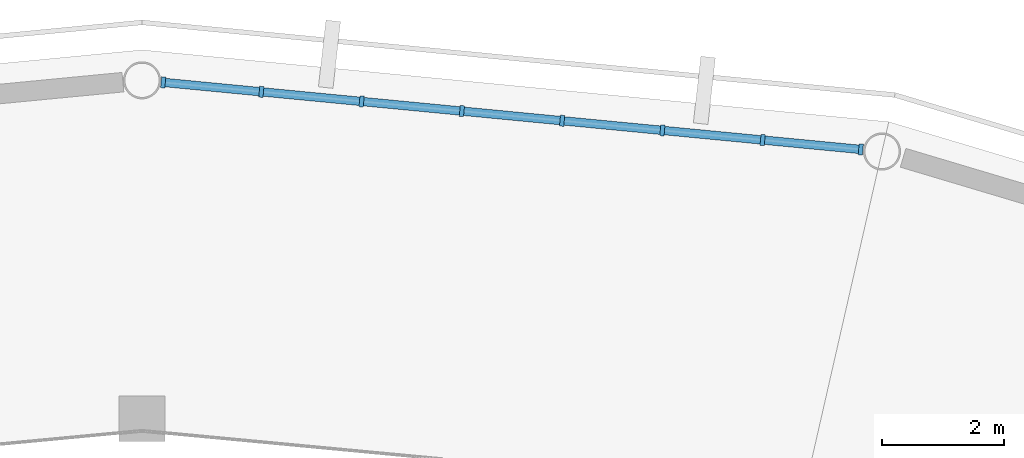
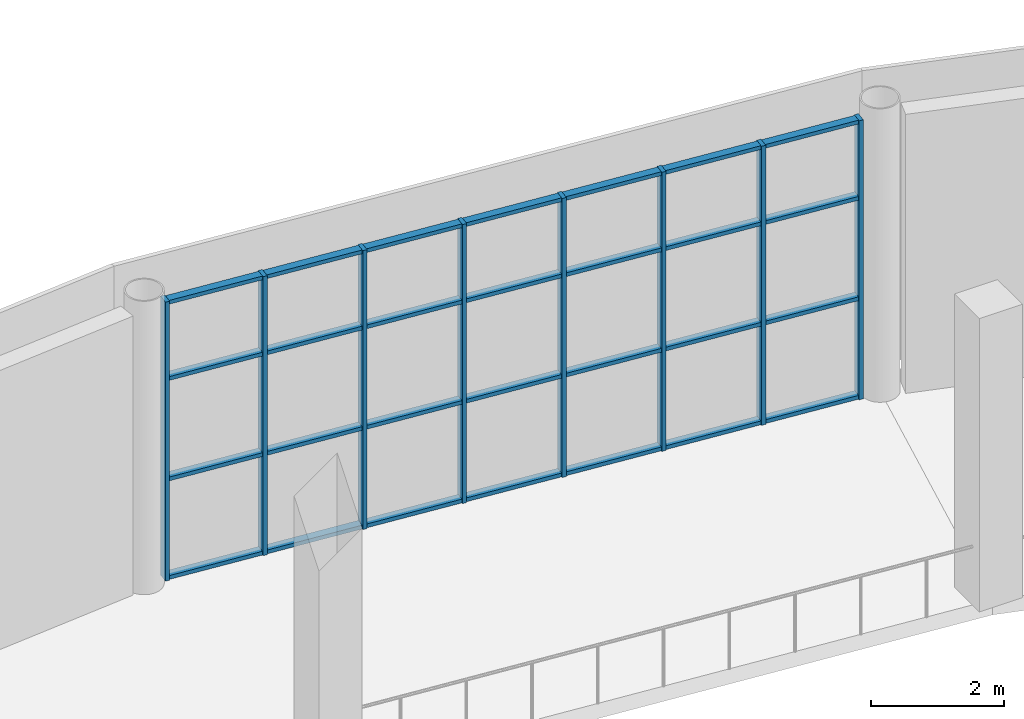
# One storey, part 18 of 40: 36 members, 1 element without a shape of its own.
"""IFC4 building model written with IfcOpenShell, lengths in metres."""

from ifc_helpers import new_model, si_unit, direction, frame, origin, origin_2d, place, context, subcontext, project, spatial, rectangle, extrude, material, material_profile, profile_set, type_object, element, aggregate, save


model = new_model("IFC4")

# Units and contexts
model_context = context("Model", 3, precision=1e-05, world=origin(), true_north=direction((0.0, 1.0)))
body_context = subcontext(model_context, "Body", "Model", "MODEL_VIEW")
ifc_project = project(units=[si_unit("LENGTHUNIT", "METRE"), si_unit("AREAUNIT", "SQUARE_METRE"), si_unit("VOLUMEUNIT", "CUBIC_METRE"), si_unit("PLANEANGLEUNIT", "RADIAN"), si_unit("MASSUNIT", "GRAM", prefix="KILO")], contexts=[model_context])

# Site, building, storey
site_placement = place(None, origin())
site = spatial("IfcSite", under=ifc_project, at=site_placement, CompositionType="ELEMENT")
building_placement = place(site_placement, origin())
building = spatial("IfcBuilding", under=site, at=building_placement, Name="Cuetzalor Civic Arena", CompositionType="ELEMENT")
storey_placement = place(building_placement, frame((0.0, 0.0, 26.39990234375)))
storey = spatial("IfcBuildingStorey", under=building, at=storey_placement, Name="L05", CompositionType="ELEMENT", Elevation=26.39990234375)

# Curtain wall, members
ifc_material_1 = material(Name="Anodised dark bronze aluminium and low-E solar glass", Category="aluminium")
curtain_wall_type = type_object("IfcCurtainWallType", Name="UnitisedCW_11550x5150", PredefinedType="USERDEFINED", material=ifc_material_1)
curtain_wall_placement = place(storey_placement, origin())
curtain_wall = element("IfcCurtainWall", 1, at=curtain_wall_placement, inside=storey, type_object=curtain_wall_type, Name="Drum Triangle Foyer Curtain Wall L05-071", ObjectType="UNITISED CURTAIN WALL", PredefinedType="USERDEFINED")
ifc_material_2 = material(Name="Anodised dark bronze aluminium", Category="aluminium")
ifc_material_profile_1 = material_profile(ifc_material_2, rectangle(XDim=0.070068359375, YDim=0.179931640625, at=origin_2d()), Name="ALU MULLION 70x180")
ifc_profile_set_1 = profile_set([ifc_material_profile_1], Name="Anodised dark bronze aluminium")
member_type_1 = type_object("IfcMemberType", Name="CurtainWallMullion_65x180", PredefinedType="MULLION", material=ifc_profile_set_1)
member_1_placement = place(storey_placement, frame((0.34814453125, 46.5166015625, 0.0), z_axis=(0.0, 0.0, 1.0), x_axis=(0.995409139996, -0.095711253324, 0.0)))
member_1 = element("IfcMember", 2, at=member_1_placement, type_object=member_type_1, Name="CW-20 mullion 1", PredefinedType="MULLION", context=body_context, shape_type="SweptSolid", body=[
    extrude(rectangle(XDim=0.070068359375, YDim=0.179931640625, at=origin_2d()), origin(), (0.0, 0.0, 1.0), 5.135986328125),
])
member_2_placement = place(storey_placement, frame((1.957763671875, 46.36181640625, 0.0), z_axis=(0.0, 0.0, 1.0), x_axis=(0.995409139996, -0.095711253324, 0.0)))
member_2 = element("IfcMember", 3, at=member_2_placement, type_object=member_type_1, Name="CW-20 mullion 2", PredefinedType="MULLION", context=body_context, shape_type="SweptSolid", body=[
    extrude(rectangle(XDim=0.070068359375, YDim=0.179931640625, at=origin_2d()), origin(), (0.0, 0.0, 1.0), 5.135986328125),
])
member_3_placement = place(storey_placement, frame((3.602294921875, 46.20361328125, 0.0), z_axis=(0.0, 0.0, 1.0), x_axis=(0.995409139996, -0.095711253324, 0.0)))
member_3 = element("IfcMember", 4, at=member_3_placement, type_object=member_type_1, Name="CW-20 mullion 3", PredefinedType="MULLION", context=body_context, shape_type="SweptSolid", body=[
    extrude(rectangle(XDim=0.070068359375, YDim=0.179931640625, at=origin_2d()), origin(), (0.0, 0.0, 1.0), 5.135986328125),
])
member_4_placement = place(storey_placement, frame((5.2470703125, 46.04541015625, 0.0), z_axis=(0.0, 0.0, 1.0), x_axis=(0.995409139996, -0.095711253324, 0.0)))
member_4 = element("IfcMember", 5, at=member_4_placement, type_object=member_type_1, Name="CW-20 mullion 4", PredefinedType="MULLION", context=body_context, shape_type="SweptSolid", body=[
    extrude(rectangle(XDim=0.070068359375, YDim=0.179931640625, at=origin_2d()), origin(), (0.0, 0.0, 1.0), 5.135986328125),
])
member_5_placement = place(storey_placement, frame((6.8916015625, 45.887451171875, 0.0), z_axis=(0.0, 0.0, 1.0), x_axis=(0.995409139996, -0.095711253324, 0.0)))
member_5 = element("IfcMember", 6, at=member_5_placement, type_object=member_type_1, Name="CW-20 mullion 5", PredefinedType="MULLION", context=body_context, shape_type="SweptSolid", body=[
    extrude(rectangle(XDim=0.070068359375, YDim=0.179931640625, at=origin_2d()), origin(), (0.0, 0.0, 1.0), 5.135986328125),
])
member_6_placement = place(storey_placement, frame((8.5361328125, 45.729248046875, 0.0), z_axis=(0.0, 0.0, 1.0), x_axis=(0.995409139996, -0.095711253324, 0.0)))
member_6 = element("IfcMember", 7, at=member_6_placement, type_object=member_type_1, Name="CW-20 mullion 6", PredefinedType="MULLION", context=body_context, shape_type="SweptSolid", body=[
    extrude(rectangle(XDim=0.070068359375, YDim=0.179931640625, at=origin_2d()), origin(), (0.0, 0.0, 1.0), 5.135986328125),
])
member_7_placement = place(storey_placement, frame((10.1806640625, 45.571044921875, 0.0), z_axis=(0.0, 0.0, 1.0), x_axis=(0.995409139996, -0.095711253324, 0.0)))
member_7 = element("IfcMember", 8, at=member_7_placement, type_object=member_type_1, Name="CW-20 mullion 7", PredefinedType="MULLION", context=body_context, shape_type="SweptSolid", body=[
    extrude(rectangle(XDim=0.070068359375, YDim=0.179931640625, at=origin_2d()), origin(), (0.0, 0.0, 1.0), 5.135986328125),
])
member_8_placement = place(storey_placement, frame((11.790283203125, 45.416259765625, 0.0), z_axis=(0.0, 0.0, 1.0), x_axis=(0.995409139996, -0.095711253324, 0.0)))
member_8 = element("IfcMember", 9, at=member_8_placement, type_object=member_type_1, Name="CW-20 mullion 8", PredefinedType="MULLION", context=body_context, shape_type="SweptSolid", body=[
    extrude(rectangle(XDim=0.070068359375, YDim=0.179931640625, at=origin_2d()), origin(), (0.0, 0.0, 1.0), 5.135986328125),
])
ifc_material_3 = material(Name="Anodised dark bronze aluminium", Category="aluminium")
ifc_material_profile_2 = material_profile(ifc_material_3, rectangle(XDim=0.139892578125, YDim=0.070068359375, at=origin_2d()), Name="ALU TRANSOM 70x140")
ifc_profile_set_2 = profile_set([ifc_material_profile_2], Name="Anodised dark bronze aluminium")
member_type_2 = type_object("IfcMemberType", Name="CurtainWallTransom_65x140", PredefinedType="USERDEFINED", material=ifc_profile_set_2)
member_9_placement = place(storey_placement, frame((0.383056640625, 46.51318359375, 0.03515625), z_axis=(0.995417120932, -0.095628214218, 0.0), x_axis=(0.095628214218, 0.995417120932, 0.0)))
member_9 = element("IfcMember", 10, at=member_9_placement, type_object=member_type_2, Name="CW-20 transom 1.1", ObjectType="TRANSOM", PredefinedType="USERDEFINED", context=body_context, shape_type="SweptSolid", body=[
    extrude(rectangle(XDim=0.139892578125, YDim=0.070068359375, at=origin_2d()), origin(), (0.0, 0.0, 1.0), 1.547119140625),
])
member_10_placement = place(storey_placement, frame((0.383056640625, 46.51318359375, 1.84912109375), z_axis=(0.995417120932, -0.095628214218, 0.0), x_axis=(0.095628214218, 0.995417120932, 0.0)))
member_10 = element("IfcMember", 11, at=member_10_placement, type_object=member_type_2, Name="CW-20 transom 1.2", ObjectType="TRANSOM", PredefinedType="USERDEFINED", context=body_context, shape_type="SweptSolid", body=[
    extrude(rectangle(XDim=0.139892578125, YDim=0.070068359375, at=origin_2d()), origin(), (0.0, 0.0, 1.0), 1.547119140625),
])
member_11_placement = place(storey_placement, frame((0.383056640625, 46.51318359375, 3.697998046875), z_axis=(0.995417120932, -0.095628214218, 0.0), x_axis=(0.095628214218, 0.995417120932, 0.0)))
member_11 = element("IfcMember", 12, at=member_11_placement, type_object=member_type_2, Name="CW-20 transom 1.3", ObjectType="TRANSOM", PredefinedType="USERDEFINED", context=body_context, shape_type="SweptSolid", body=[
    extrude(rectangle(XDim=0.139892578125, YDim=0.070068359375, at=origin_2d()), origin(), (0.0, 0.0, 1.0), 1.547119140625),
])
member_12_placement = place(storey_placement, frame((0.383056640625, 46.51318359375, 5.10107421875), z_axis=(0.995417120932, -0.095628214218, 0.0), x_axis=(0.095628214218, 0.995417120932, 0.0)))
member_12 = element("IfcMember", 13, at=member_12_placement, type_object=member_type_2, Name="CW-20 transom 1.4", ObjectType="TRANSOM", PredefinedType="USERDEFINED", context=body_context, shape_type="SweptSolid", body=[
    extrude(rectangle(XDim=0.139892578125, YDim=0.070068359375, at=origin_2d()), origin(), (0.0, 0.0, 1.0), 1.547119140625),
])
member_13_placement = place(storey_placement, frame((1.99267578125, 46.3583984375, 0.03515625), z_axis=(0.99541326879, -0.09566830362, 0.0), x_axis=(0.09566830362, 0.99541326879, 0.0)))
member_13 = element("IfcMember", 14, at=member_13_placement, type_object=member_type_2, Name="CW-20 transom 2.1", ObjectType="TRANSOM", PredefinedType="USERDEFINED", context=body_context, shape_type="SweptSolid", body=[
    extrude(rectangle(XDim=0.139892578125, YDim=0.070068359375, at=origin_2d()), origin(), (0.0, 0.0, 1.0), 1.582275390625),
])
member_14_placement = place(storey_placement, frame((1.99267578125, 46.3583984375, 1.84912109375), z_axis=(0.99541326879, -0.09566830362, 0.0), x_axis=(0.09566830362, 0.99541326879, 0.0)))
member_14 = element("IfcMember", 15, at=member_14_placement, type_object=member_type_2, Name="CW-20 transom 2.2", ObjectType="TRANSOM", PredefinedType="USERDEFINED", context=body_context, shape_type="SweptSolid", body=[
    extrude(rectangle(XDim=0.139892578125, YDim=0.070068359375, at=origin_2d()), origin(), (0.0, 0.0, 1.0), 1.582275390625),
])
member_15_placement = place(storey_placement, frame((1.99267578125, 46.3583984375, 3.697998046875), z_axis=(0.99541326879, -0.09566830362, 0.0), x_axis=(0.09566830362, 0.99541326879, 0.0)))
member_15 = element("IfcMember", 16, at=member_15_placement, type_object=member_type_2, Name="CW-20 transom 2.3", ObjectType="TRANSOM", PredefinedType="USERDEFINED", context=body_context, shape_type="SweptSolid", body=[
    extrude(rectangle(XDim=0.139892578125, YDim=0.070068359375, at=origin_2d()), origin(), (0.0, 0.0, 1.0), 1.582275390625),
])
member_16_placement = place(storey_placement, frame((1.99267578125, 46.3583984375, 5.10107421875), z_axis=(0.99541326879, -0.09566830362, 0.0), x_axis=(0.09566830362, 0.99541326879, 0.0)))
member_16 = element("IfcMember", 17, at=member_16_placement, type_object=member_type_2, Name="CW-20 transom 2.4", ObjectType="TRANSOM", PredefinedType="USERDEFINED", context=body_context, shape_type="SweptSolid", body=[
    extrude(rectangle(XDim=0.139892578125, YDim=0.070068359375, at=origin_2d()), origin(), (0.0, 0.0, 1.0), 1.582275390625),
])
member_17_placement = place(storey_placement, frame((3.63720703125, 46.2001953125, 0.03515625), z_axis=(0.99541326879, -0.09566830362, 0.0), x_axis=(0.09566830362, 0.99541326879, 0.0)))
member_17 = element("IfcMember", 18, at=member_17_placement, type_object=member_type_2, Name="CW-20 transom 3.1", ObjectType="TRANSOM", PredefinedType="USERDEFINED", context=body_context, shape_type="SweptSolid", body=[
    extrude(rectangle(XDim=0.139892578125, YDim=0.070068359375, at=origin_2d()), origin(), (0.0, 0.0, 1.0), 1.582275390625),
])
member_18_placement = place(storey_placement, frame((3.63720703125, 46.2001953125, 1.84912109375), z_axis=(0.99541326879, -0.09566830362, 0.0), x_axis=(0.09566830362, 0.99541326879, 0.0)))
member_18 = element("IfcMember", 19, at=member_18_placement, type_object=member_type_2, Name="CW-20 transom 3.2", ObjectType="TRANSOM", PredefinedType="USERDEFINED", context=body_context, shape_type="SweptSolid", body=[
    extrude(rectangle(XDim=0.139892578125, YDim=0.070068359375, at=origin_2d()), origin(), (0.0, 0.0, 1.0), 1.582275390625),
])
member_19_placement = place(storey_placement, frame((3.63720703125, 46.2001953125, 3.697998046875), z_axis=(0.99541326879, -0.09566830362, 0.0), x_axis=(0.09566830362, 0.99541326879, 0.0)))
member_19 = element("IfcMember", 20, at=member_19_placement, type_object=member_type_2, Name="CW-20 transom 3.3", ObjectType="TRANSOM", PredefinedType="USERDEFINED", context=body_context, shape_type="SweptSolid", body=[
    extrude(rectangle(XDim=0.139892578125, YDim=0.070068359375, at=origin_2d()), origin(), (0.0, 0.0, 1.0), 1.582275390625),
])
member_20_placement = place(storey_placement, frame((3.63720703125, 46.2001953125, 5.10107421875), z_axis=(0.99541326879, -0.09566830362, 0.0), x_axis=(0.09566830362, 0.99541326879, 0.0)))
member_20 = element("IfcMember", 21, at=member_20_placement, type_object=member_type_2, Name="CW-20 transom 3.4", ObjectType="TRANSOM", PredefinedType="USERDEFINED", context=body_context, shape_type="SweptSolid", body=[
    extrude(rectangle(XDim=0.139892578125, YDim=0.070068359375, at=origin_2d()), origin(), (0.0, 0.0, 1.0), 1.582275390625),
])
member_21_placement = place(storey_placement, frame((5.28173828125, 46.042236328125, 0.03515625), z_axis=(0.995398563, -0.095821191695, 0.0), x_axis=(0.095821191695, 0.995398563, 0.0)))
member_21 = element("IfcMember", 22, at=member_21_placement, type_object=member_type_2, Name="CW-20 transom 4.1", ObjectType="TRANSOM", PredefinedType="USERDEFINED", context=body_context, shape_type="SweptSolid", body=[
    extrude(rectangle(XDim=0.139892578125, YDim=0.070068359375, at=origin_2d()), origin(), (0.0, 0.0, 1.0), 1.582275390625),
])
member_22_placement = place(storey_placement, frame((5.28173828125, 46.042236328125, 1.84912109375), z_axis=(0.995398563, -0.095821191695, 0.0), x_axis=(0.095821191695, 0.995398563, 0.0)))
member_22 = element("IfcMember", 23, at=member_22_placement, type_object=member_type_2, Name="CW-20 transom 4.2", ObjectType="TRANSOM", PredefinedType="USERDEFINED", context=body_context, shape_type="SweptSolid", body=[
    extrude(rectangle(XDim=0.139892578125, YDim=0.070068359375, at=origin_2d()), origin(), (0.0, 0.0, 1.0), 1.582275390625),
])
member_23_placement = place(storey_placement, frame((5.28173828125, 46.042236328125, 3.697998046875), z_axis=(0.995398563, -0.095821191695, 0.0), x_axis=(0.095821191695, 0.995398563, 0.0)))
member_23 = element("IfcMember", 24, at=member_23_placement, type_object=member_type_2, Name="CW-20 transom 4.3", ObjectType="TRANSOM", PredefinedType="USERDEFINED", context=body_context, shape_type="SweptSolid", body=[
    extrude(rectangle(XDim=0.139892578125, YDim=0.070068359375, at=origin_2d()), origin(), (0.0, 0.0, 1.0), 1.582275390625),
])
member_24_placement = place(storey_placement, frame((5.28173828125, 46.042236328125, 5.10107421875), z_axis=(0.995398563, -0.095821191695, 0.0), x_axis=(0.095821191695, 0.995398563, 0.0)))
member_24 = element("IfcMember", 25, at=member_24_placement, type_object=member_type_2, Name="CW-20 transom 4.4", ObjectType="TRANSOM", PredefinedType="USERDEFINED", context=body_context, shape_type="SweptSolid", body=[
    extrude(rectangle(XDim=0.139892578125, YDim=0.070068359375, at=origin_2d()), origin(), (0.0, 0.0, 1.0), 1.582275390625),
])
member_25_placement = place(storey_placement, frame((6.92626953125, 45.884033203125, 0.03515625), z_axis=(0.99541326879, -0.09566830362, 0.0), x_axis=(0.09566830362, 0.99541326879, 0.0)))
member_25 = element("IfcMember", 26, at=member_25_placement, type_object=member_type_2, Name="CW-20 transom 5.1", ObjectType="TRANSOM", PredefinedType="USERDEFINED", context=body_context, shape_type="SweptSolid", body=[
    extrude(rectangle(XDim=0.139892578125, YDim=0.070068359375, at=origin_2d()), origin(), (0.0, 0.0, 1.0), 1.582275390625),
])
member_26_placement = place(storey_placement, frame((6.92626953125, 45.884033203125, 1.84912109375), z_axis=(0.99541326879, -0.09566830362, 0.0), x_axis=(0.09566830362, 0.99541326879, 0.0)))
member_26 = element("IfcMember", 27, at=member_26_placement, type_object=member_type_2, Name="CW-20 transom 5.2", ObjectType="TRANSOM", PredefinedType="USERDEFINED", context=body_context, shape_type="SweptSolid", body=[
    extrude(rectangle(XDim=0.139892578125, YDim=0.070068359375, at=origin_2d()), origin(), (0.0, 0.0, 1.0), 1.582275390625),
])
member_27_placement = place(storey_placement, frame((6.92626953125, 45.884033203125, 3.697998046875), z_axis=(0.99541326879, -0.09566830362, 0.0), x_axis=(0.09566830362, 0.99541326879, 0.0)))
member_27 = element("IfcMember", 28, at=member_27_placement, type_object=member_type_2, Name="CW-20 transom 5.3", ObjectType="TRANSOM", PredefinedType="USERDEFINED", context=body_context, shape_type="SweptSolid", body=[
    extrude(rectangle(XDim=0.139892578125, YDim=0.070068359375, at=origin_2d()), origin(), (0.0, 0.0, 1.0), 1.582275390625),
])
member_28_placement = place(storey_placement, frame((6.92626953125, 45.884033203125, 5.10107421875), z_axis=(0.99541326879, -0.09566830362, 0.0), x_axis=(0.09566830362, 0.99541326879, 0.0)))
member_28 = element("IfcMember", 29, at=member_28_placement, type_object=member_type_2, Name="CW-20 transom 5.4", ObjectType="TRANSOM", PredefinedType="USERDEFINED", context=body_context, shape_type="SweptSolid", body=[
    extrude(rectangle(XDim=0.139892578125, YDim=0.070068359375, at=origin_2d()), origin(), (0.0, 0.0, 1.0), 1.582275390625),
])
member_29_placement = place(storey_placement, frame((8.571044921875, 45.725830078125, 0.03515625), z_axis=(0.995411856211, -0.095683000132, 0.0), x_axis=(0.095683000132, 0.995411856211, 0.0)))
member_29 = element("IfcMember", 30, at=member_29_placement, type_object=member_type_2, Name="CW-20 transom 6.1", ObjectType="TRANSOM", PredefinedType="USERDEFINED", context=body_context, shape_type="SweptSolid", body=[
    extrude(rectangle(XDim=0.139892578125, YDim=0.070068359375, at=origin_2d()), origin(), (0.0, 0.0, 1.0), 1.58203125),
])
member_30_placement = place(storey_placement, frame((8.571044921875, 45.725830078125, 1.84912109375), z_axis=(0.995411856211, -0.095683000132, 0.0), x_axis=(0.095683000132, 0.995411856211, 0.0)))
member_30 = element("IfcMember", 31, at=member_30_placement, type_object=member_type_2, Name="CW-20 transom 6.2", ObjectType="TRANSOM", PredefinedType="USERDEFINED", context=body_context, shape_type="SweptSolid", body=[
    extrude(rectangle(XDim=0.139892578125, YDim=0.070068359375, at=origin_2d()), origin(), (0.0, 0.0, 1.0), 1.58203125),
])
member_31_placement = place(storey_placement, frame((8.571044921875, 45.725830078125, 3.697998046875), z_axis=(0.995411856211, -0.095683000132, 0.0), x_axis=(0.095683000132, 0.995411856211, 0.0)))
member_31 = element("IfcMember", 32, at=member_31_placement, type_object=member_type_2, Name="CW-20 transom 6.3", ObjectType="TRANSOM", PredefinedType="USERDEFINED", context=body_context, shape_type="SweptSolid", body=[
    extrude(rectangle(XDim=0.139892578125, YDim=0.070068359375, at=origin_2d()), origin(), (0.0, 0.0, 1.0), 1.58203125),
])
member_32_placement = place(storey_placement, frame((8.571044921875, 45.725830078125, 5.10107421875), z_axis=(0.995411856211, -0.095683000132, 0.0), x_axis=(0.095683000132, 0.995411856211, 0.0)))
member_32 = element("IfcMember", 33, at=member_32_placement, type_object=member_type_2, Name="CW-20 transom 6.4", ObjectType="TRANSOM", PredefinedType="USERDEFINED", context=body_context, shape_type="SweptSolid", body=[
    extrude(rectangle(XDim=0.139892578125, YDim=0.070068359375, at=origin_2d()), origin(), (0.0, 0.0, 1.0), 1.58203125),
])
member_33_placement = place(storey_placement, frame((10.215576171875, 45.56787109375, 0.03515625), z_axis=(0.995402087681, -0.095784569946, 0.0), x_axis=(0.095784569946, 0.995402087681, 0.0)))
member_33 = element("IfcMember", 34, at=member_33_placement, type_object=member_type_2, Name="CW-20 transom 7.1", ObjectType="TRANSOM", PredefinedType="USERDEFINED", context=body_context, shape_type="SweptSolid", body=[
    extrude(rectangle(XDim=0.139892578125, YDim=0.070068359375, at=origin_2d()), origin(), (0.0, 0.0, 1.0), 1.547119140625),
])
member_34_placement = place(storey_placement, frame((10.215576171875, 45.56787109375, 1.84912109375), z_axis=(0.995402087681, -0.095784569946, 0.0), x_axis=(0.095784569946, 0.995402087681, 0.0)))
member_34 = element("IfcMember", 35, at=member_34_placement, type_object=member_type_2, Name="CW-20 transom 7.2", ObjectType="TRANSOM", PredefinedType="USERDEFINED", context=body_context, shape_type="SweptSolid", body=[
    extrude(rectangle(XDim=0.139892578125, YDim=0.070068359375, at=origin_2d()), origin(), (0.0, 0.0, 1.0), 1.547119140625),
])
member_35_placement = place(storey_placement, frame((10.215576171875, 45.56787109375, 3.697998046875), z_axis=(0.995402087681, -0.095784569946, 0.0), x_axis=(0.095784569946, 0.995402087681, 0.0)))
member_35 = element("IfcMember", 36, at=member_35_placement, type_object=member_type_2, Name="CW-20 transom 7.3", ObjectType="TRANSOM", PredefinedType="USERDEFINED", context=body_context, shape_type="SweptSolid", body=[
    extrude(rectangle(XDim=0.139892578125, YDim=0.070068359375, at=origin_2d()), origin(), (0.0, 0.0, 1.0), 1.547119140625),
])
member_36_placement = place(storey_placement, frame((10.215576171875, 45.56787109375, 5.10107421875), z_axis=(0.995402087681, -0.095784569946, 0.0), x_axis=(0.095784569946, 0.995402087681, 0.0)))
member_36 = element("IfcMember", 37, at=member_36_placement, type_object=member_type_2, Name="CW-20 transom 7.4", ObjectType="TRANSOM", PredefinedType="USERDEFINED", context=body_context, shape_type="SweptSolid", body=[
    extrude(rectangle(XDim=0.139892578125, YDim=0.070068359375, at=origin_2d()), origin(), (0.0, 0.0, 1.0), 1.547119140625),
])
aggregate(curtain_wall, [member_1, member_2, member_3, member_4, member_5, member_6, member_7, member_8, member_9, member_10, member_11, member_12, member_13, member_14, member_15, member_16, member_17, member_18, member_19, member_20, member_21, member_22, member_23, member_24, member_25, member_26, member_27, member_28, member_29, member_30, member_31, member_32, member_33, member_34, member_35, member_36])

save(model, "model.ifc")
